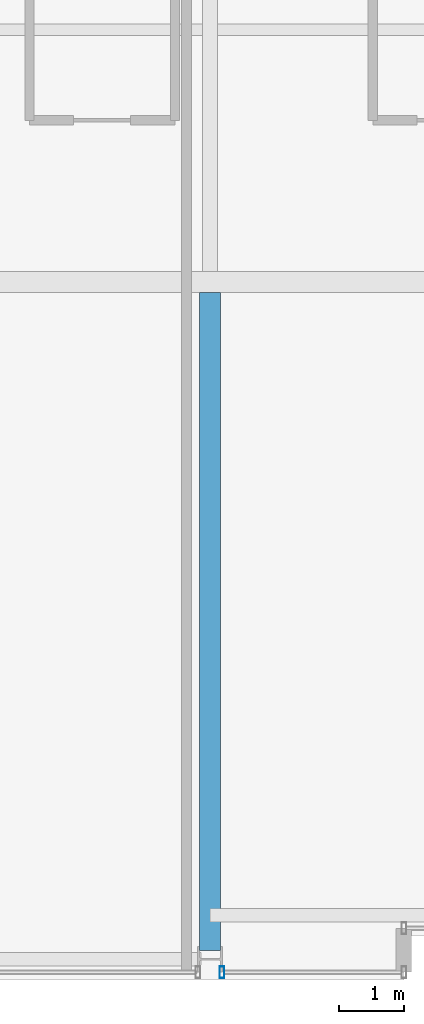
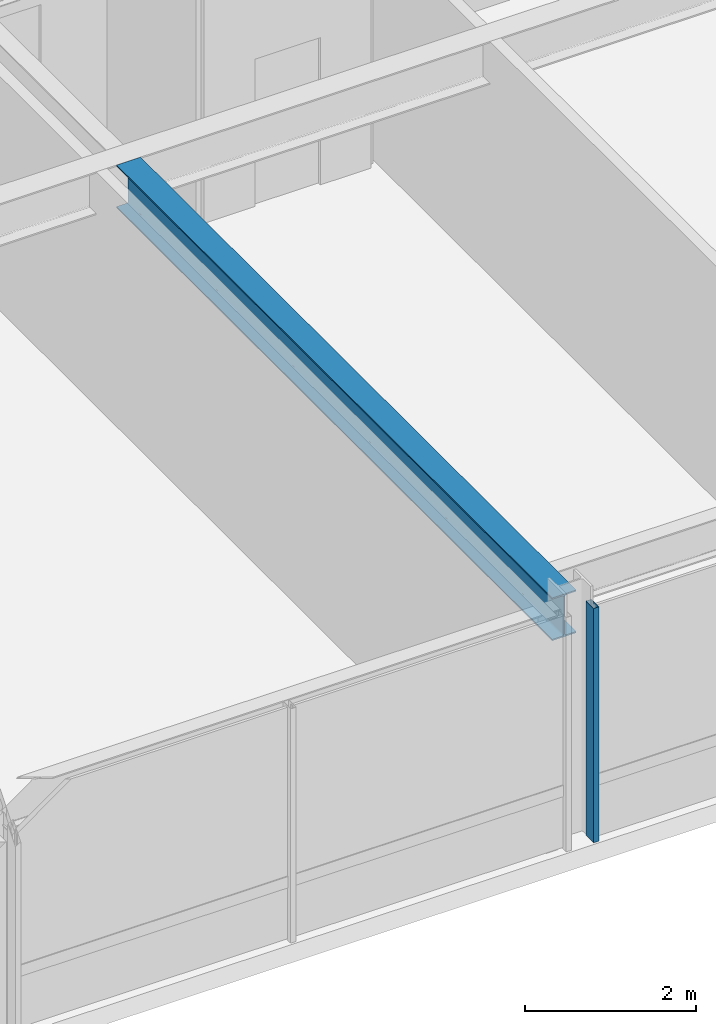
# One storey, part 3 of 31: 1 beam, 1 member, 1 element without a shape of its own.
"""IFC4 building model written with IfcOpenShell, lengths in metres."""

from ifc_helpers import new_model, si_unit, direction, frame, origin, origin_2d, place, context, subcontext, project, spatial, hollow_rectangle, i_section, extrude, material, layer, layer_set, material_profile, profile_set, type_object, element, aggregate, save


model = new_model("IFC4")

# Units and contexts
model_context = context("Model", 3, precision=1e-05, world=origin(), true_north=direction((0.0, 1.0)))
body_context = subcontext(model_context, "Body", "Model", "MODEL_VIEW")
ifc_project = project(units=[si_unit("LENGTHUNIT", "METRE"), si_unit("AREAUNIT", "SQUARE_METRE"), si_unit("VOLUMEUNIT", "CUBIC_METRE"), si_unit("PLANEANGLEUNIT", "RADIAN"), si_unit("MASSUNIT", "GRAM", prefix="KILO")], contexts=[model_context])

# Site, building, storey
site_placement = place(None, origin())
site = spatial("IfcSite", under=ifc_project, at=site_placement, CompositionType="ELEMENT")
building_placement = place(site_placement, origin())
building = spatial("IfcBuilding", under=site, at=building_placement, Name="Drelvath Grand Hotel", CompositionType="ELEMENT")
storey_placement = place(building_placement, frame((0.0, 0.0, 230.300048828125)))
storey = spatial("IfcBuildingStorey", under=building, at=storey_placement, Name="L60", CompositionType="ELEMENT", Elevation=230.300048828125)

# Curtain wall, member
ifc_material_1 = material(Name="Platinum-Mist Anodised Aluminium Frame", Category="aluminium")
ifc_layer = layer(ifc_material_1, 0.199951171875)
ifc_layer_set = layer_set([ifc_layer], Name="Platinum-Mist Anodised Aluminium Frame")
curtain_wall_type = type_object("IfcCurtainWallType", Name="Stick Curtain Wall CW-05 Platinum Mist High-Rise", PredefinedType="NOTDEFINED", material=ifc_layer_set)
curtain_wall_placement = place(storey_placement, origin())
curtain_wall = element("IfcCurtainWall", 1, at=curtain_wall_placement, inside=storey, type_object=curtain_wall_type, Name="L60 CW-05 Curtain Wall CW05-L60-SW3", PredefinedType="NOTDEFINED")
ifc_material_profile_1 = material_profile(ifc_material_1, hollow_rectangle(XDim=0.074951171875, YDim=0.179931640625, WallThickness=0.0048828125, at=origin_2d()), Name="HSS180X75X5")
ifc_profile_set_1 = profile_set([ifc_material_profile_1], Name="Platinum-Mist Anodised Aluminium Frame")
member_type = type_object("IfcMemberType", Name="Curtain Wall Vertical Mullion CW-05 HSS180X75X5", PredefinedType="MULLION", material=ifc_profile_set_1)
member_placement = place(storey_placement, frame((-8.214599609375, 0.1201171875, 0.0), z_axis=(0.0, 0.0, 1.0), x_axis=(1.0, 0.0, 0.0)))
member = element("IfcMember", 2, at=member_placement, type_object=member_type, Name="CW05-L60-SW3 Mullion 2", PredefinedType="MULLION", context=body_context, shape_type="SweptSolid", body=[
    extrude(hollow_rectangle(XDim=0.074951171875, YDim=0.179931640625, WallThickness=0.0048828125, at=origin_2d()), origin(), (0.0, 0.0, 1.0), 3.33984375),
])
aggregate(curtain_wall, [member])

# Beam
ifc_material_2 = material(Name="Steel ASTM A992 Gr 50", Category="steel")
ifc_material_profile_2 = material_profile(ifc_material_2, i_section(OverallWidth=0.323974609375, OverallDepth=0.611083984375, WebThickness=0.0126953125, FlangeThickness=0.01904296875, FilletRadius=0.02197265625, at=origin_2d()), Name="W24X104")
ifc_profile_set_2 = profile_set([ifc_material_profile_2], Name="Steel ASTM A992 Gr 50")
beam_type = type_object("IfcBeamType", Name="Primary Floor Girder W24X104", PredefinedType="BEAM", material=ifc_profile_set_2)
beam_placement = place(storey_placement, frame((-8.39990234375, 0.4599609375, 3.034423828125), z_axis=(0.0, 1.0, 0.0), x_axis=(-1.0, 0.0, 0.0)))
element("IfcBeam", 3, at=beam_placement, inside=storey, type_object=beam_type, Name="L60 South Wing Girder 4", PredefinedType="BEAM", context=body_context, shape_type="SweptSolid", body=[
    extrude(i_section(OverallWidth=0.323974609375, OverallDepth=0.611083984375, WebThickness=0.0126953125, FlangeThickness=0.01904296875, FilletRadius=0.02197265625, at=origin_2d()), origin(), (0.0, 0.0, 1.0), 10.177978515625),
])

save(model, "model.ifc")
